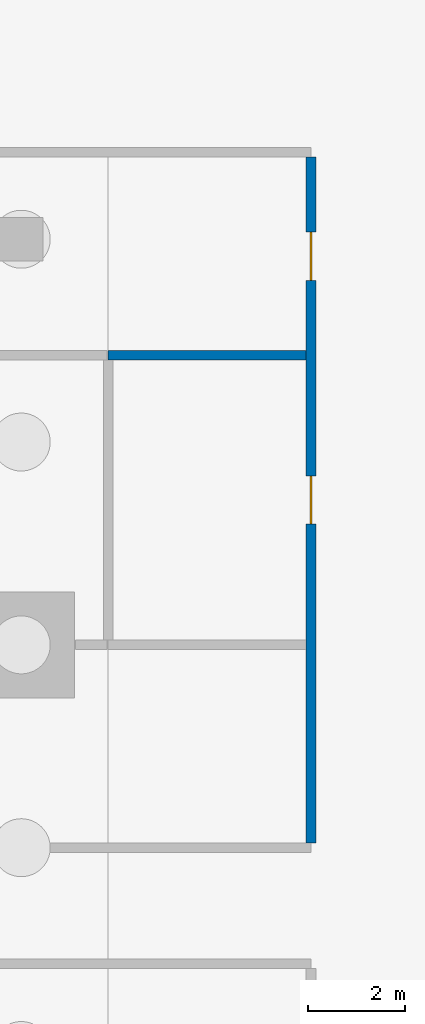
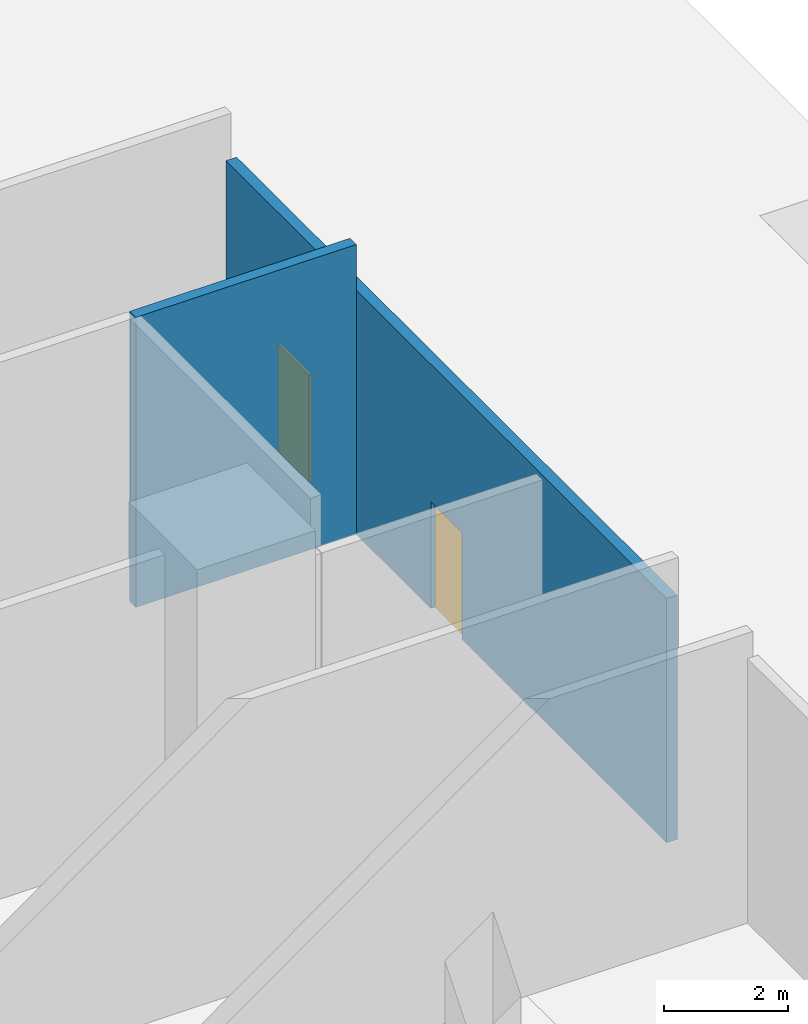
# One storey, part 10 of 16: 2 doors, 2 walls, 2 openings.
"""IFC4 building model written with IfcOpenShell, lengths in metres."""

from ifc_helpers import new_model, si_unit, direction, frame, frame_2d, origin, place, context, subcontext, project, spatial, rectangle, extrude, material, layer, layer_set, type_object, element, fill, save


model = new_model("IFC4")

# Units and contexts
model_context = context("Model", 3, precision=1e-05, world=origin(), true_north=direction((0.0, 1.0)))
body_context = subcontext(model_context, "Body", "Model", "MODEL_VIEW")
ifc_project = project(units=[si_unit("LENGTHUNIT", "METRE"), si_unit("AREAUNIT", "SQUARE_METRE"), si_unit("VOLUMEUNIT", "CUBIC_METRE"), si_unit("PLANEANGLEUNIT", "RADIAN"), si_unit("MASSUNIT", "GRAM", prefix="KILO")], contexts=[model_context])

# Site, building, storey
site_placement = place(None, origin())
site = spatial("IfcSite", under=ifc_project, at=site_placement, CompositionType="ELEMENT")
building_placement = place(site_placement, origin())
building = spatial("IfcBuilding", under=site, at=building_placement, Name="Saffron Gate Tower", CompositionType="ELEMENT")
storey_placement = place(building_placement, frame((0.0, 0.0, -6.0)))
storey = spatial("IfcBuildingStorey", under=building, at=storey_placement, Name="B1", CompositionType="ELEMENT", Elevation=-6.0)

# Wall
ifc_material_1 = material(Name="Clay brick masonry, rendered", Category="masonry")
ifc_layer_1 = layer(ifc_material_1, 0.199951171875)
ifc_layer_set_1 = layer_set([ifc_layer_1], Name="PW2 Demising wall 200")
wall_type_1 = type_object("IfcWallType", Name="PW2 Demising wall 200", PredefinedType="PARTITIONING", material=ifc_layer_set_1)
wall_1_placement = place(storey_placement, frame((127.199951171875, 71.39990234375, 0.0), z_axis=(0.0, 0.0, 1.0), x_axis=(1.0, 0.0, 0.0)))
element("IfcWall", 1, at=wall_1_placement, inside=storey, type_object=wall_type_1, Name="Wall BS-22", PredefinedType="PARTITIONING", context=body_context, shape_type="SweptSolid", body=[
    extrude(rectangle(XDim=4.10009765625, YDim=0.199951171875, at=frame_2d((2.050048828125, 0.0))), origin(), (0.0, 0.0, 1.0), 5.699951171875),
])

# Wall, openings, doors
ifc_layer_2 = layer(ifc_material_1, 0.199951171875)
ifc_layer_set_2 = layer_set([ifc_layer_2], Name="PW3 Corridor wall 200")
wall_type_2 = type_object("IfcWallType", Name="PW3 Corridor wall 200", PredefinedType="PARTITIONING", material=ifc_layer_set_2)
wall_2_placement = place(storey_placement, frame((131.39990234375, 61.300048828125, 0.0), z_axis=(0.0, 0.0, 1.0), x_axis=(0.0, 1.0, 0.0)))
wall_2 = element("IfcWall", 2, at=wall_2_placement, inside=storey, type_object=wall_type_2, Name="Wall BS-54", PredefinedType="PARTITIONING", context=body_context, shape_type="SweptSolid", body=[
    extrude(rectangle(XDim=14.199951171875, YDim=0.199951171875, at=frame_2d((7.10009765625, 0.0))), origin(), (0.0, 0.0, 1.0), 4.800048828125),
])
opening_1_placement = place(wall_2_placement, frame((6.60009765625, 0.0, 0.0)))
opening_1 = element("IfcOpeningElement", 3, at=opening_1_placement, cuts=wall_2, Name="Opening BS-1", PredefinedType="OPENING", context=body_context, shape_type="SweptSolid", body=[
    extrude(rectangle(XDim=1.0, YDim=2.10009765625, at=frame_2d((0.5, 1.050048828125))), frame((0.0, 0.10986328125, 0.0), z_axis=(0.0, -1.0, 0.0), x_axis=(1.0, 0.0, 0.0)), (0.0, 0.0, 1.0), 0.219970703125),
])
opening_2_placement = place(wall_2_placement, frame((11.64990234375, 0.0, 0.0)))
opening_2 = element("IfcOpeningElement", 4, at=opening_2_placement, cuts=wall_2, Name="Opening BS-2", PredefinedType="OPENING", context=body_context, shape_type="SweptSolid", body=[
    extrude(rectangle(XDim=1.0, YDim=2.10009765625, at=frame_2d((0.5, 1.050048828125))), frame((0.0, 0.10986328125, 0.0), z_axis=(0.0, -1.0, 0.0), x_axis=(1.0, 0.0, 0.0)), (0.0, 0.0, 1.0), 0.219970703125),
])
ifc_material_2 = material(Name="Timber door set", Category="wood")
door_type = type_object("IfcDoorType", Name="RD1 Room door 900x2100", OperationType="NOTDEFINED", PredefinedType="DOOR", material=ifc_material_2)
door_1_placement = place(opening_1_placement, origin())
door_1 = element("IfcDoor", 5, at=door_1_placement, inside=storey, type_object=door_type, Name="Door BS-1", OperationType="SINGLE_SWING_LEFT", OverallHeight=2.10009765625, OverallWidth=1.0, PredefinedType="DOOR", context=body_context, shape_type="SweptSolid", body=[
    extrude(rectangle(XDim=1.0, YDim=2.10009765625, at=frame_2d((0.5, 1.050048828125))), frame((0.0, 0.02490234375, 0.0), z_axis=(0.0, -1.0, 0.0), x_axis=(1.0, 0.0, 0.0)), (0.0, 0.0, 1.0), 0.050048828125),
])
fill(opening_1, door_1)
door_2_placement = place(opening_2_placement, origin())
door_2 = element("IfcDoor", 6, at=door_2_placement, inside=storey, type_object=door_type, Name="Door BS-2", OperationType="SINGLE_SWING_RIGHT", OverallHeight=2.10009765625, OverallWidth=1.0, PredefinedType="DOOR", context=body_context, shape_type="SweptSolid", body=[
    extrude(rectangle(XDim=1.0, YDim=2.10009765625, at=frame_2d((0.5, 1.050048828125))), frame((0.0, 0.02490234375, 0.0), z_axis=(0.0, -1.0, 0.0), x_axis=(1.0, 0.0, 0.0)), (0.0, 0.0, 1.0), 0.050048828125),
])
fill(opening_2, door_2)

save(model, "model.ifc")
